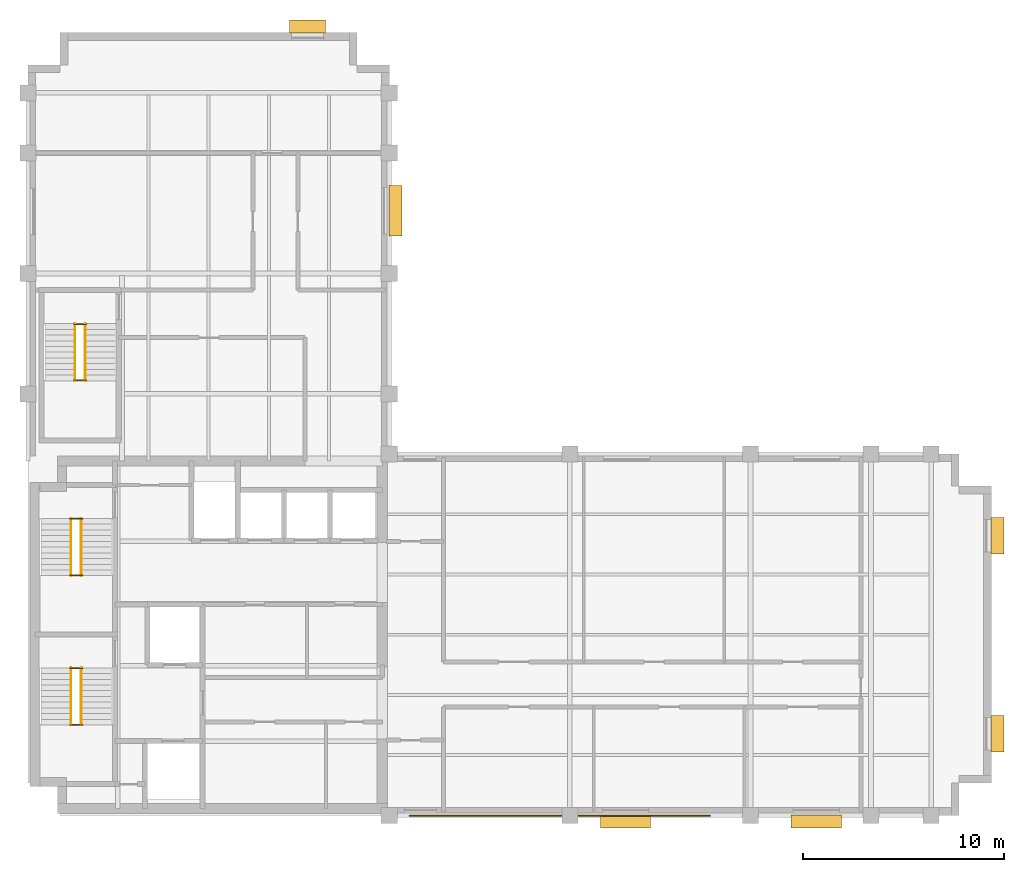
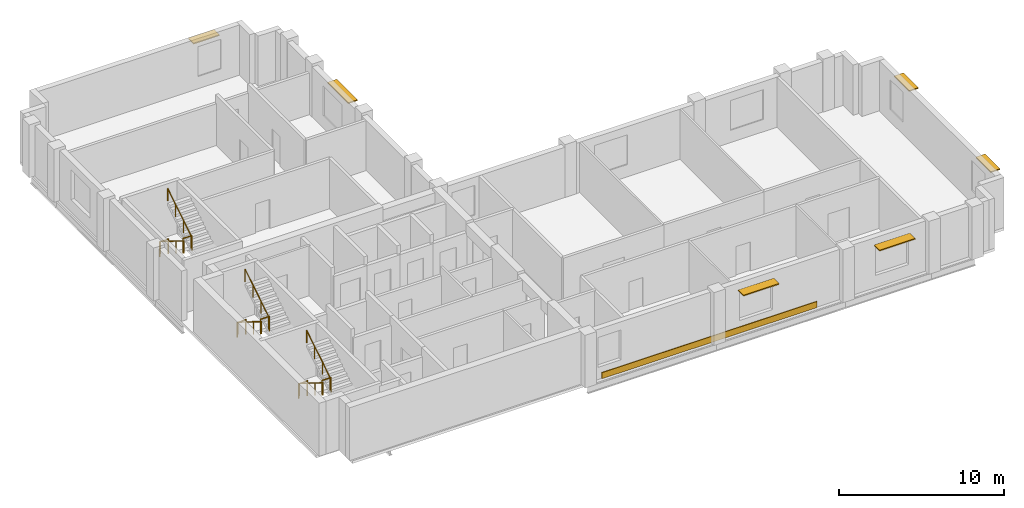
# One storey, part 6 of 6: 12 railings, 6 shading devices, 1 covering.
"""IFC4 building model written with IfcOpenShell, lengths in metres."""

from ifc_helpers import new_model, si_unit, direction, frame, origin, origin_2d, place, context, subcontext, project, spatial, polyline, rectangle, circle, outline, extrude, material, layer, layer_set, type_object, element, save


model = new_model("IFC4")

# Units and contexts
model_context = context("Model", 3, precision=1e-05, world=origin(), true_north=direction((0.0, 1.0)))
body_context = subcontext(model_context, "Body", "Model", "MODEL_VIEW")
ifc_project = project(units=[si_unit("LENGTHUNIT", "METRE"), si_unit("AREAUNIT", "SQUARE_METRE"), si_unit("VOLUMEUNIT", "CUBIC_METRE"), si_unit("PLANEANGLEUNIT", "RADIAN"), si_unit("MASSUNIT", "GRAM", prefix="KILO")], contexts=[model_context])

# Site, building, storey
site_placement = place(None, origin())
site = spatial("IfcSite", under=ifc_project, at=site_placement, CompositionType="ELEMENT")
building_placement = place(site_placement, origin())
building = spatial("IfcBuilding", under=site, at=building_placement, Name="Mawjdan Bourse Tower", CompositionType="ELEMENT")
storey_placement = place(building_placement, frame((0.0, 0.0, 231.300048828125)))
storey = spatial("IfcBuildingStorey", under=building, at=storey_placement, Name="L56", CompositionType="ELEMENT", Elevation=231.300048828125)

# Covering
ifc_material_1 = material(Name="Honed Qatari Limestone Coping", Category="masonry")
ifc_layer_1 = layer(ifc_material_1, 0.054931640625)
ifc_layer_set_1 = layer_set([ifc_layer_1], Name="Honed Qatari Limestone Coping")
covering_type = type_object("IfcCoveringType", Name="COV-CLD-SPN", PredefinedType="CLADDING", material=ifc_layer_set_1)
covering_placement = place(storey_placement, origin())
element("IfcCovering", 1, at=covering_placement, inside=storey, type_object=covering_type, Name="L56 Limestone Spandrel Coping Trim", PredefinedType="CLADDING", context=body_context, shape_type="SweptSolid", body=[
    extrude(outline(polyline([(25.0, 2.949951171875), (40.0, 2.949951171875), (40.0, 3.010009765625), (25.0, 3.010009765625), (25.0, 2.949951171875)])), origin(), (0.0, 0.0, 1.0), 0.449951171875),
])

# Railings
ifc_material_2 = material(Name="Structural Steel S355", Category="steel")
railing_type_1 = type_object("IfcRailingType", Name="RLG-GRD-1100", PredefinedType="GUARDRAIL", material=ifc_material_2)
for number, where, name in (
    (2, (8.090087890625, 7.52001953125, 1.949951171875), "L56 ST1 Landing Guardrail GL-MID"),
    (3, (8.090087890625, 10.330078125, 0.0), "L56 ST1 Landing Guardrail GL-BOT"),
    (4, (8.090087890625, 14.9599609375, 1.949951171875), "L56 ST2 Landing Guardrail GL-MID"),
    (5, (8.090087890625, 17.77001953125, 0.0), "L56 ST2 Landing Guardrail GL-BOT"),
    (6, (8.2900390625, 24.669921875, 1.949951171875), "L56 ST3 Landing Guardrail GL-MID"),
    (7, (8.2900390625, 27.47998046875, 0.0), "L56 ST3 Landing Guardrail GL-BOT"),
):
    element("IfcRailing", number, at=place(storey_placement, frame(where)), inside=storey, type_object=railing_type_1, Name=name, PredefinedType="GUARDRAIL", context=body_context, shape_type="SweptSolid", body=[
        extrude(circle(Radius=0.02490234375, at=origin_2d()), frame((0.0, 0.0, 1.0751953125), z_axis=(1.0, 0.0, 0.0), x_axis=(0.0, 1.0, 0.0)), (0.0, 0.0, 1.0), 0.619873046875),
        extrude(circle(Radius=0.02099609375, at=origin_2d()), origin(), (0.0, 0.0, 1.0), 1.050048828125),
        extrude(circle(Radius=0.02099609375, at=origin_2d()), frame((0.619873046875, 0.0, 0.0)), (0.0, 0.0, 1.0), 1.050048828125),
    ])
ifc_material_3 = material(Name="Brushed Stainless Steel", Category="steel")
railing_type_2 = type_object("IfcRailingType", Name="RLG-HND-920", PredefinedType="HANDRAIL", material=ifc_material_3)
railing_1_placement = place(storey_placement, frame((8.139892578125, 10.35009765625, 0.17724609375)))
element("IfcRailing", 8, at=railing_1_placement, inside=storey, type_object=railing_type_2, Name="L56 ST1 Flight Handrail HR1", PredefinedType="HANDRAIL", context=body_context, shape_type="SweptSolid", body=[
    extrude(circle(Radius=0.0224609375, at=origin_2d()), frame((0.0, 0.0, 0.8974609375), z_axis=(0.0, -0.849148672731, 0.528153890072), x_axis=(1.0, 0.0, 0.0)), (0.0, 0.0, 1.0), 3.3564453125),
    extrude(circle(Radius=0.01904296875, at=origin_2d()), origin(), (0.0, 0.0, 1.0), 0.875),
    extrude(circle(Radius=0.01904296875, at=origin_2d()), frame((0.0, -0.949951171875, 0.5908203125)), (0.0, 0.0, 1.0), 0.875),
    extrude(circle(Radius=0.01904296875, at=origin_2d()), frame((0.0, -1.900146484375, 1.181884765625)), (0.0, 0.0, 1.0), 0.875),
    extrude(circle(Radius=0.01904296875, at=origin_2d()), frame((0.0, -2.85009765625, 1.772705078125)), (0.0, 0.0, 1.0), 0.875),
])
railing_2_placement = place(storey_placement, frame((8.659912109375, 7.5, 2.127197265625)))
element("IfcRailing", 9, at=railing_2_placement, inside=storey, type_object=railing_type_2, Name="L56 ST1 Flight Handrail HR2", PredefinedType="HANDRAIL", context=body_context, shape_type="SweptSolid", body=[
    extrude(circle(Radius=0.0224609375, at=origin_2d()), frame((0.0, 0.0, 0.8974609375), z_axis=(0.0, 0.849148672731, 0.528153890072), x_axis=(-1.0, 0.0, 0.0)), (0.0, 0.0, 1.0), 3.3564453125),
    extrude(circle(Radius=0.01904296875, at=origin_2d()), origin(), (0.0, 0.0, 1.0), 0.875),
    extrude(circle(Radius=0.01904296875, at=origin_2d()), frame((0.0, 0.949951171875, 0.5908203125)), (0.0, 0.0, 1.0), 0.875),
    extrude(circle(Radius=0.01904296875, at=origin_2d()), frame((0.0, 1.900146484375, 1.181884765625)), (0.0, 0.0, 1.0), 0.875),
    extrude(circle(Radius=0.01904296875, at=origin_2d()), frame((0.0, 2.85009765625, 1.772705078125)), (0.0, 0.0, 1.0), 0.875),
])
railing_3_placement = place(storey_placement, frame((8.139892578125, 17.7900390625, 0.17724609375)))
element("IfcRailing", 10, at=railing_3_placement, inside=storey, type_object=railing_type_2, Name="L56 ST2 Flight Handrail HR1", PredefinedType="HANDRAIL", context=body_context, shape_type="SweptSolid", body=[
    extrude(circle(Radius=0.0224609375, at=origin_2d()), frame((0.0, 0.0, 0.8974609375), z_axis=(0.0, -0.849148672731, 0.528153890072), x_axis=(1.0, 0.0, 0.0)), (0.0, 0.0, 1.0), 3.3564453125),
    extrude(circle(Radius=0.01904296875, at=origin_2d()), origin(), (0.0, 0.0, 1.0), 0.875),
    extrude(circle(Radius=0.01904296875, at=origin_2d()), frame((0.0, -0.949951171875, 0.5908203125)), (0.0, 0.0, 1.0), 0.875),
    extrude(circle(Radius=0.01904296875, at=origin_2d()), frame((0.0, -1.900146484375, 1.181884765625)), (0.0, 0.0, 1.0), 0.875),
    extrude(circle(Radius=0.01904296875, at=origin_2d()), frame((0.0, -2.85009765625, 1.772705078125)), (0.0, 0.0, 1.0), 0.875),
])
railing_4_placement = place(storey_placement, frame((8.659912109375, 14.93994140625, 2.127197265625)))
element("IfcRailing", 11, at=railing_4_placement, inside=storey, type_object=railing_type_2, Name="L56 ST2 Flight Handrail HR2", PredefinedType="HANDRAIL", context=body_context, shape_type="SweptSolid", body=[
    extrude(circle(Radius=0.0224609375, at=origin_2d()), frame((0.0, 0.0, 0.8974609375), z_axis=(0.0, 0.849148672731, 0.528153890072), x_axis=(-1.0, 0.0, 0.0)), (0.0, 0.0, 1.0), 3.3564453125),
    extrude(circle(Radius=0.01904296875, at=origin_2d()), origin(), (0.0, 0.0, 1.0), 0.875),
    extrude(circle(Radius=0.01904296875, at=origin_2d()), frame((0.0, 0.949951171875, 0.5908203125)), (0.0, 0.0, 1.0), 0.875),
    extrude(circle(Radius=0.01904296875, at=origin_2d()), frame((0.0, 1.900146484375, 1.181884765625)), (0.0, 0.0, 1.0), 0.875),
    extrude(circle(Radius=0.01904296875, at=origin_2d()), frame((0.0, 2.85009765625, 1.772705078125)), (0.0, 0.0, 1.0), 0.875),
])
railing_5_placement = place(storey_placement, frame((8.340087890625, 27.5, 0.17724609375)))
element("IfcRailing", 12, at=railing_5_placement, inside=storey, type_object=railing_type_2, Name="L56 ST3 Flight Handrail HR1", PredefinedType="HANDRAIL", context=body_context, shape_type="SweptSolid", body=[
    extrude(circle(Radius=0.0224609375, at=origin_2d()), frame((0.0, 0.0, 0.8974609375), z_axis=(0.0, -0.849148672731, 0.528153890072), x_axis=(1.0, 0.0, 0.0)), (0.0, 0.0, 1.0), 3.3564453125),
    extrude(circle(Radius=0.01904296875, at=origin_2d()), origin(), (0.0, 0.0, 1.0), 0.875),
    extrude(circle(Radius=0.01904296875, at=origin_2d()), frame((0.0, -0.949951171875, 0.5908203125)), (0.0, 0.0, 1.0), 0.875),
    extrude(circle(Radius=0.01904296875, at=origin_2d()), frame((0.0, -1.900146484375, 1.181884765625)), (0.0, 0.0, 1.0), 0.875),
    extrude(circle(Radius=0.01904296875, at=origin_2d()), frame((0.0, -2.85009765625, 1.772705078125)), (0.0, 0.0, 1.0), 0.875),
])
railing_6_placement = place(storey_placement, frame((8.860107421875, 24.64990234375, 2.127197265625)))
element("IfcRailing", 13, at=railing_6_placement, inside=storey, type_object=railing_type_2, Name="L56 ST3 Flight Handrail HR2", PredefinedType="HANDRAIL", context=body_context, shape_type="SweptSolid", body=[
    extrude(circle(Radius=0.0224609375, at=origin_2d()), frame((0.0, 0.0, 0.8974609375), z_axis=(0.0, 0.849148672731, 0.528153890072), x_axis=(-1.0, 0.0, 0.0)), (0.0, 0.0, 1.0), 3.3564453125),
    extrude(circle(Radius=0.01904296875, at=origin_2d()), origin(), (0.0, 0.0, 1.0), 0.875),
    extrude(circle(Radius=0.01904296875, at=origin_2d()), frame((0.0, 0.949951171875, 0.5908203125)), (0.0, 0.0, 1.0), 0.875),
    extrude(circle(Radius=0.01904296875, at=origin_2d()), frame((0.0, 1.900146484375, 1.181884765625)), (0.0, 0.0, 1.0), 0.875),
    extrude(circle(Radius=0.01904296875, at=origin_2d()), frame((0.0, 2.85009765625, 1.772705078125)), (0.0, 0.0, 1.0), 0.875),
])

# Shading devices
ifc_material_4 = material(Name="Bronze Anodised Aluminium", Category="aluminium")
ifc_layer_2 = layer(ifc_material_4, 0.074951171875)
ifc_layer_set_2 = layer_set([ifc_layer_2], Name="Bronze Anodised Aluminium")
shading_device_type = type_object("IfcShadingDeviceType", Name="SHD-SUN-650", PredefinedType="USERDEFINED", material=ifc_layer_set_2)
for number, where, z_axis, x_axis, name in (
    (14, (35.77490234375, 2.695068359375, 3.10009765625), (0.0, 0.0, 1.0), (1.0, 0.0, 0.0), "L56 Solar Window Hood 01"),
    (15, (45.27490234375, 2.695068359375, 3.10009765625), (0.0, 0.0, 1.0), (1.0, 0.0, 0.0), "L56 Solar Window Hood 02"),
):
    element("IfcShadingDevice", number, at=place(storey_placement, frame(where, z_axis=z_axis, x_axis=x_axis)), inside=storey, type_object=shading_device_type, Name=name, ObjectType="SUNSHADE", PredefinedType="USERDEFINED", context=body_context, shape_type="SweptSolid", body=[
        extrude(rectangle(XDim=2.5, YDim=0.64990234375, at=origin_2d()), origin(), (0.0, 0.0, 1.0), 0.074951171875),
    ])
for number, where, z_axis, x_axis, name in (
    (16, (54.304931640625, 7.066650390625, 3.10009765625), (0.0, 0.0, 1.0), (0.0, 1.0, 0.0), "L56 Solar Window Hood 03"),
    (17, (54.304931640625, 16.933349609375, 3.10009765625), (0.0, 0.0, 1.0), (0.0, 1.0, 0.0), "L56 Solar Window Hood 04"),
):
    element("IfcShadingDevice", number, at=place(storey_placement, frame(where, z_axis=z_axis, x_axis=x_axis)), inside=storey, type_object=shading_device_type, Name=name, ObjectType="SUNSHADE", PredefinedType="USERDEFINED", context=body_context, shape_type="SweptSolid", body=[
        extrude(rectangle(XDim=1.800048828125, YDim=0.64990234375, at=origin_2d()), origin(), (0.0, 0.0, 1.0), 0.074951171875),
    ])
shading_device_1_placement = place(storey_placement, frame((24.304931640625, 33.125, 3.10009765625), z_axis=(0.0, 0.0, 1.0), x_axis=(0.0, 1.0, 0.0)))
element("IfcShadingDevice", 18, at=shading_device_1_placement, inside=storey, type_object=shading_device_type, Name="L56 Solar Window Hood 07", ObjectType="SUNSHADE", PredefinedType="USERDEFINED", context=body_context, shape_type="SweptSolid", body=[
    extrude(rectangle(XDim=2.5, YDim=0.64990234375, at=origin_2d()), origin(), (0.0, 0.0, 1.0), 0.074951171875),
])
shading_device_2_placement = place(storey_placement, frame((19.933349609375, 42.304931640625, 3.10009765625), z_axis=(0.0, 0.0, 1.0), x_axis=(-1.0, 0.0, 0.0)))
element("IfcShadingDevice", 19, at=shading_device_2_placement, inside=storey, type_object=shading_device_type, Name="L56 Solar Window Hood 08", ObjectType="SUNSHADE", PredefinedType="USERDEFINED", context=body_context, shape_type="SweptSolid", body=[
    extrude(rectangle(XDim=1.800048828125, YDim=0.64990234375, at=origin_2d()), origin(), (0.0, 0.0, 1.0), 0.074951171875),
])

save(model, "model.ifc")
